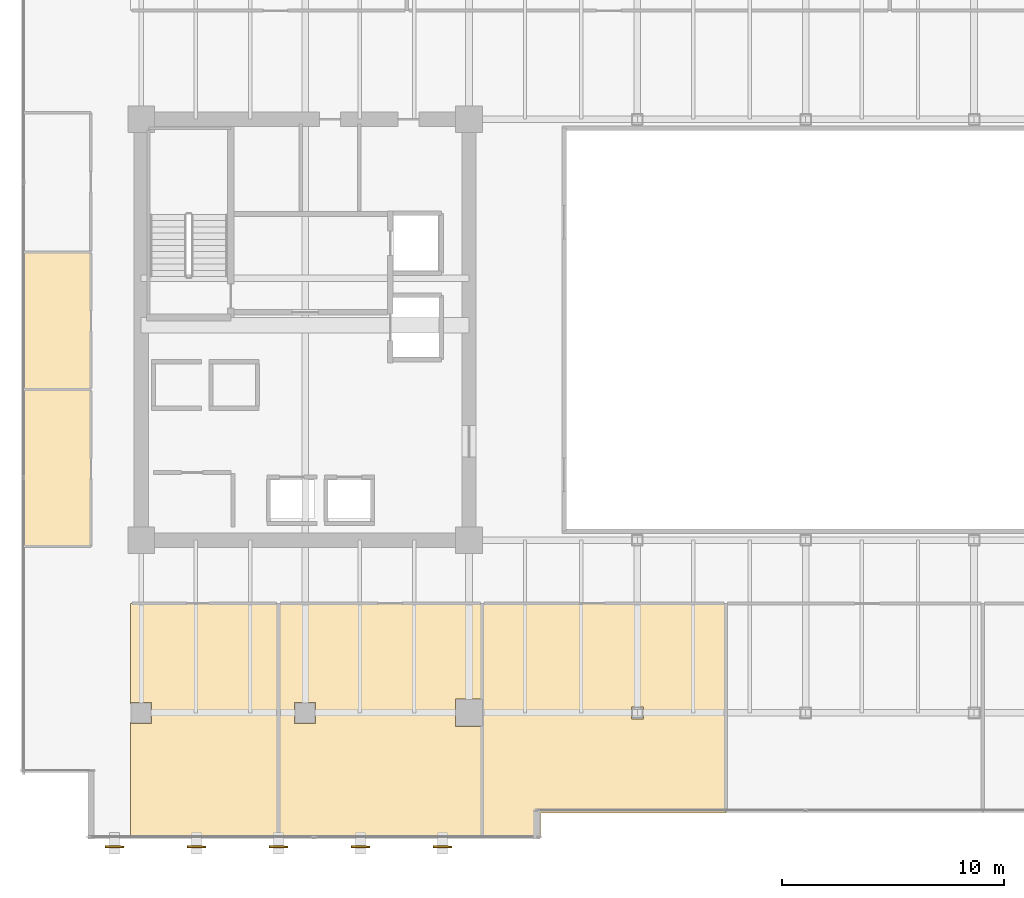
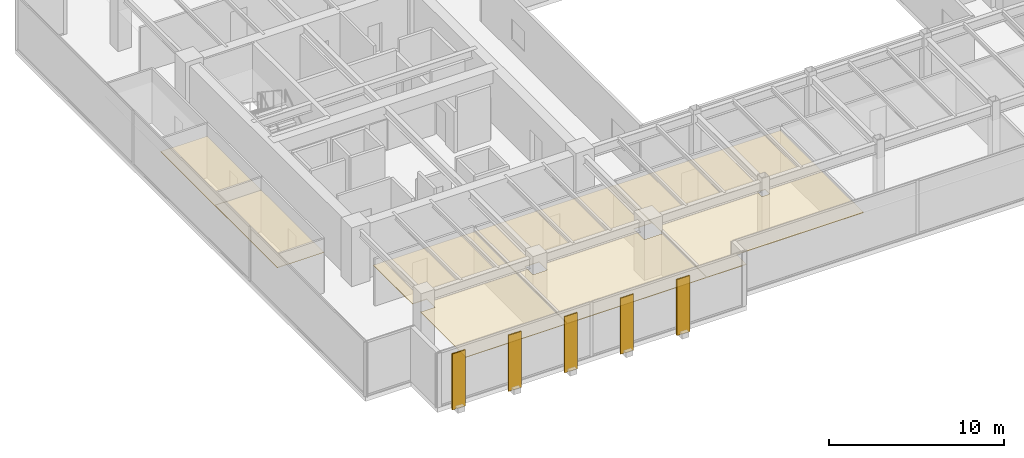
# One storey, part 30 of 34: 5 coverings, 5 shading devices.
"""IFC4 building model written with IfcOpenShell, lengths in metres."""

from ifc_helpers import new_model, si_unit, direction, frame, origin, origin_2d, place, context, subcontext, project, spatial, polyline, rectangle, outline, extrude, source, transform, mapped, material, layer, layer_set, material_profile, profile_set, type_object, type_shapes, element, save


model = new_model("IFC4")

# Units and contexts
model_context = context("Model", 3, precision=1e-05, world=origin(), true_north=direction((0.0, 1.0)))
body_context = subcontext(model_context, "Body", "Model", "MODEL_VIEW")
ifc_project = project(units=[si_unit("LENGTHUNIT", "METRE"), si_unit("AREAUNIT", "SQUARE_METRE"), si_unit("VOLUMEUNIT", "CUBIC_METRE"), si_unit("PLANEANGLEUNIT", "RADIAN"), si_unit("MASSUNIT", "GRAM", prefix="KILO")], contexts=[model_context])

# Site, building, storey
site_placement = place(None, origin())
site = spatial("IfcSite", under=ifc_project, at=site_placement, CompositionType="ELEMENT")
building_placement = place(site_placement, origin())
building = spatial("IfcBuilding", under=site, at=building_placement, Name="Haelvirn Gate Laboratories", CompositionType="ELEMENT")
storey_placement = place(building_placement, frame((0.0, 0.0, 158.39990234375)))
storey = spatial("IfcBuildingStorey", under=building, at=storey_placement, Name="L38", CompositionType="ELEMENT", Elevation=158.39990234375)

# Coverings
ifc_material_1 = material(Name="Micro-perforated acoustic mineral-fibre laboratory ceiling")
ifc_layer = layer(ifc_material_1, 0.0400390625, Name="COV-CEIL-ACT")
ifc_layer_set = layer_set([ifc_layer], Name="Micro-perforated acoustic mineral-fibre laboratory ceiling")
covering_type = type_object("IfcCoveringType", Name="COV-CEIL-ACT", PredefinedType="CEILING", material=ifc_layer_set)
covering_1_placement = place(storey_placement, frame((0.0, 0.0, 2.820068359375)))
element("IfcCovering", 1, at=covering_1_placement, inside=storey, type_object=covering_type, Name="L38 Laboratory Acoustic Ceiling CEIL-SP-L38-S-01", PredefinedType="CEILING", context=body_context, shape_type="SweptSolid", body=[
    extrude(outline(polyline([(6.919921875, 7.409912109375), (6.919921875, 11.929931640625), (13.580078125, 11.929931640625), (13.580078125, 1.35009765625), (6.919921875, 1.35009765625), (6.919921875, 6.590087890625), (6.929931640625, 6.590087890625), (6.929931640625, 6.530029296875), (7.8701171875, 6.530029296875), (7.8701171875, 7.469970703125), (6.929931640625, 7.469970703125), (6.929931640625, 7.409912109375), (6.919921875, 7.409912109375)])), origin(), (0.0, 0.0, 1.0), 0.0400390625),
])
covering_2_placement = place(storey_placement, frame((0.0, 0.0, 2.820068359375)))
element("IfcCovering", 2, at=covering_2_placement, inside=storey, type_object=covering_type, Name="L38 Laboratory Acoustic Ceiling CEIL-SP-L38-S-02", PredefinedType="CEILING", context=body_context, shape_type="SweptSolid", body=[
    extrude(outline(polyline([(22.780029296875, 1.35009765625), (13.6201171875, 1.35009765625), (13.6201171875, 11.929931640625), (22.780029296875, 11.929931640625), (22.780029296875, 7.6201171875), (21.580078125, 7.6201171875), (21.580078125, 6.3798828125), (22.780029296875, 6.3798828125), (22.780029296875, 1.35009765625)]), holes=[polyline([(14.330078125, 7.469970703125), (14.330078125, 6.530029296875), (15.27001953125, 6.530029296875), (15.27001953125, 7.469970703125), (14.330078125, 7.469970703125)])]), origin(), (0.0, 0.0, 1.0), 0.0400390625),
])
covering_3_placement = place(storey_placement, frame((0.0, 0.0, 2.820068359375)))
element("IfcCovering", 3, at=covering_3_placement, inside=storey, type_object=covering_type, Name="L38 Laboratory Acoustic Ceiling CEIL-SP-L38-S-03", PredefinedType="CEILING", context=body_context, shape_type="SweptSolid", body=[
    extrude(outline(polyline([(22.820068359375, 1.35009765625), (22.820068359375, 6.3798828125), (22.820068359375, 7.6201171875), (22.820068359375, 11.929931640625), (33.780029296875, 11.929931640625), (33.780029296875, 2.47998046875), (25.419921875, 2.47998046875), (25.419921875, 1.35009765625), (22.820068359375, 1.35009765625)]), holes=[polyline([(30.070068359375, 7.27001953125), (29.530029296875, 7.27001953125), (29.530029296875, 6.72998046875), (30.070068359375, 6.72998046875), (30.070068359375, 7.27001953125)])]), origin(), (0.0, 0.0, 1.0), 0.0400390625),
])
covering_4_placement = place(storey_placement, frame((0.0, 0.0, 2.820068359375)))
element("IfcCovering", 4, at=covering_4_placement, inside=storey, type_object=covering_type, Name="L38 Laboratory Acoustic Ceiling CEIL-SP-L38-WCELL-01", PredefinedType="CEILING", context=body_context, shape_type="SweptSolid", body=[
    extrude(outline(polyline([(2.050048828125, 21.60009765625), (5.1201171875, 21.60009765625), (5.1201171875, 14.455078125), (2.050048828125, 14.455078125), (2.050048828125, 21.60009765625)])), origin(), (0.0, 0.0, 1.0), 0.0400390625),
])
covering_5_placement = place(storey_placement, frame((0.0, 0.0, 2.820068359375)))
element("IfcCovering", 5, at=covering_5_placement, inside=storey, type_object=covering_type, Name="L38 Laboratory Acoustic Ceiling CEIL-SP-L38-WCELL-02", PredefinedType="CEILING", context=body_context, shape_type="SweptSolid", body=[
    extrude(outline(polyline([(2.050048828125, 27.800048828125), (5.1201171875, 27.800048828125), (5.1201171875, 21.60009765625), (2.050048828125, 21.60009765625), (2.050048828125, 27.800048828125)])), origin(), (0.0, 0.0, 1.0), 0.0400390625),
])

# Shading devices
ifc_material_2 = material(Name="Extruded aluminium 6063-T6 (anodised bronze)", Category="aluminium")
ifc_material_profile = material_profile(ifc_material_2, rectangle(XDim=0.074951171875, YDim=0.85009765625, at=origin_2d()), Name="FIN-850x75")
ifc_profile_set = profile_set([ifc_material_profile], Name="Extruded aluminium 6063-T6 (anodised bronze)")
shading_device_type = type_object("IfcShadingDeviceType", Name="SHD-FIN-850", PredefinedType="USERDEFINED", material=ifc_profile_set)
shared_shape = source(origin(), body_context, "Body", "SweptSolid", [
    extrude(rectangle(XDim=0.074951171875, YDim=0.85009765625, at=origin_2d()), origin(), (0.0, 0.0, 1.0), 3.909912109375),
])
type_shapes(shading_device_type, [shared_shape])
for number, where, z_axis, x_axis, name in (
    (6, (6.199951171875, 0.955078125, -0.179931640625), (0.0, 0.0, 1.0), (0.006981260298, 0.999975630705, 0.0), "L38 Fluted Bronze Vertical Fin S01"),
    (7, (9.89990234375, 0.955078125, -0.179931640625), (0.0, 0.0, 1.0), (0.006981260298, 0.999975630705, 0.0), "L38 Fluted Bronze Vertical Fin S02"),
    (8, (13.60009765625, 0.955078125, -0.179931640625), (0.0, 0.0, 1.0), (0.006981260298, 0.999975630705, 0.0), "L38 Fluted Bronze Vertical Fin S03"),
    (9, (17.300048828125, 0.955078125, -0.179931640625), (0.0, 0.0, 1.0), (0.006981260298, 0.999975630705, 0.0), "L38 Fluted Bronze Vertical Fin S04"),
    (10, (21.0, 0.955078125, -0.179931640625), (0.0, 0.0, 1.0), (0.006981260298, 0.999975630705, 0.0), "L38 Fluted Bronze Vertical Fin S05"),
):
    element("IfcShadingDevice", number, at=place(storey_placement, frame(where, z_axis=z_axis, x_axis=x_axis)), inside=storey, type_object=shading_device_type, Name=name, ObjectType="FIN", PredefinedType="USERDEFINED", context=body_context, shape_type="MappedRepresentation", body=[
        mapped(shared_shape, transform((0.0, 0.0, 0.0), scale=1.0)),
    ])

save(model, "model.ifc")
